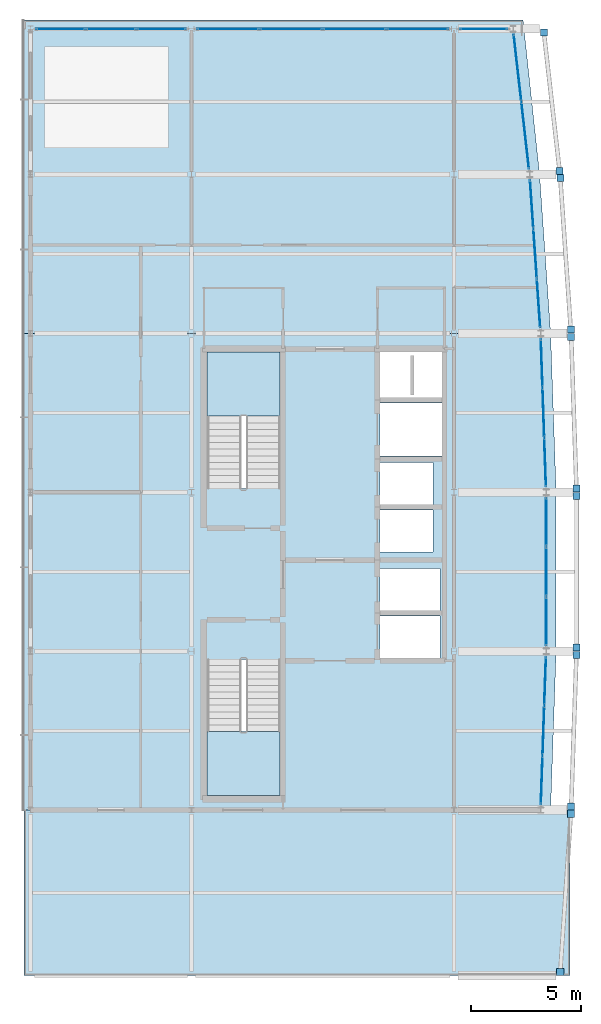
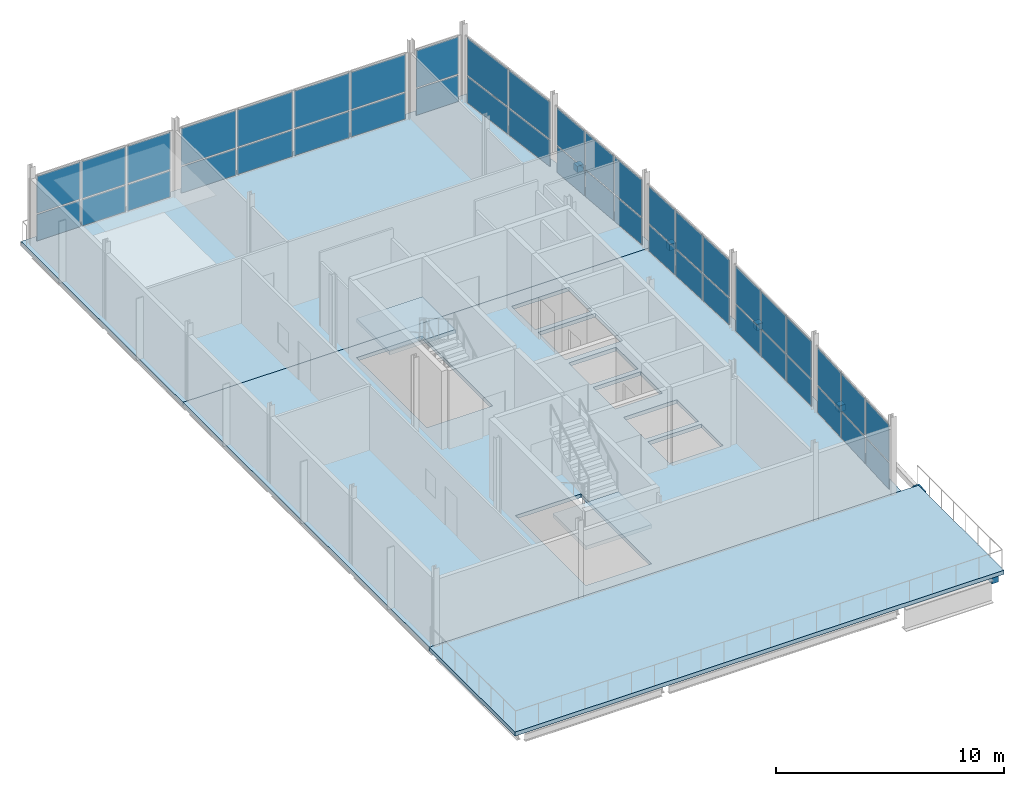
# One storey, part 12 of 17: 56 plates, 5 slabs, 10 elements without a shape of their own.
"""IFC4 building model written with IfcOpenShell, lengths in metres."""

from ifc_helpers import new_model, si_unit, direction, frame, origin, origin_2d, place, context, subcontext, project, spatial, polyline, rectangle, outline, extrude, material, layer, layer_set, type_object, element, aggregate, save


model = new_model("IFC4")

# Units and contexts
model_context = context("Model", 3, precision=1e-05, world=origin(), true_north=direction((0.0, 1.0)))
body_context = subcontext(model_context, "Body", "Model", "MODEL_VIEW")
ifc_project = project(units=[si_unit("LENGTHUNIT", "METRE"), si_unit("AREAUNIT", "SQUARE_METRE"), si_unit("VOLUMEUNIT", "CUBIC_METRE"), si_unit("PLANEANGLEUNIT", "RADIAN"), si_unit("MASSUNIT", "GRAM", prefix="KILO")], contexts=[model_context])

# Site, building, storey
site_placement = place(None, origin())
site = spatial("IfcSite", under=ifc_project, at=site_placement, CompositionType="ELEMENT")
building_placement = place(site_placement, origin())
building = spatial("IfcBuilding", under=site, at=building_placement, Name="Quillay Park Conservatory", CompositionType="ELEMENT")
storey_placement = place(building_placement, frame((0.0, 0.0, 60.300048828125)))
storey = spatial("IfcBuildingStorey", under=building, at=storey_placement, Name="L14", CompositionType="ELEMENT", Elevation=60.300048828125)

# Curtain wall, plates
ifc_material_1 = material(Name="Thermally Broken Anodised Aluminium 6063-T6", Category="aluminium")
ifc_layer_1 = layer(ifc_material_1, 0.179931640625)
ifc_layer_set_1 = layer_set([ifc_layer_1], Name="UNITISED CURTAIN WALL TOWER (Thermally Broken Anodised Aluminium 6063-T6)")
curtain_wall_type = type_object("IfcCurtainWallType", Name="UNITISED CURTAIN WALL TOWER", PredefinedType="USERDEFINED", material=ifc_layer_set_1)
curtain_wall_1_placement = place(storey_placement, origin())
curtain_wall_1 = element("IfcCurtainWall", 1, at=curtain_wall_1_placement, inside=storey, type_object=curtain_wall_type, Name="L14 Unitised Curtain Wall 131", ObjectType="UNITISED CURTAIN WALL", PredefinedType="USERDEFINED")
ifc_material_2 = material(Name="Low-E Double Glazing (Laminated Tempered)", Category="glass")
ifc_layer_2 = layer(ifc_material_2, 0.028076171875)
ifc_layer_set_2 = layer_set([ifc_layer_2], Name="CURTAIN WALL GLAZED PANEL 28 (Low-E Double Glazing (Laminated Tempered))")
plate_type_1 = type_object("IfcPlateType", Name="CURTAIN WALL GLAZED PANEL 28", PredefinedType="CURTAIN_PANEL", material=ifc_layer_set_2)
plate_1_placement = place(storey_placement, frame((23.878173828125, 83.849365234375, 0.06982421875), z_axis=(0.0, 0.0, 1.0), x_axis=(-0.034713338537, -0.999397310446, 0.0)))
plate_1 = element("IfcPlate", 2, at=plate_1_placement, type_object=plate_type_1, Name="CW-T1 panel 1.1", PredefinedType="CURTAIN_PANEL", context=body_context, shape_type="SweptSolid", body=[
    extrude(rectangle(XDim=2.1630859375, YDim=0.028076171875, at=origin_2d()), origin(), (0.0, 0.0, 1.0), 1.406494140625),
])
plate_2_placement = place(storey_placement, frame((23.878173828125, 83.849365234375, 1.546630859375), z_axis=(0.0, 0.0, 1.0), x_axis=(-0.034713338537, -0.999397310446, 0.0)))
plate_2 = element("IfcPlate", 3, at=plate_2_placement, type_object=plate_type_1, Name="CW-T1 panel 1.2", PredefinedType="CURTAIN_PANEL", context=body_context, shape_type="SweptSolid", body=[
    extrude(rectangle(XDim=2.1630859375, YDim=0.028076171875, at=origin_2d()), origin(), (0.0, 0.0, 1.0), 1.982421875),
])
plate_3_placement = place(storey_placement, frame((23.800048828125, 81.60009765625, 0.06982421875), z_axis=(0.0, 0.0, 1.0), x_axis=(-0.034713338537, -0.999397310446, 0.0)))
plate_3 = element("IfcPlate", 4, at=plate_3_placement, type_object=plate_type_1, Name="CW-T1 panel 2.1", PredefinedType="CURTAIN_PANEL", context=body_context, shape_type="SweptSolid", body=[
    extrude(rectangle(XDim=2.197998046875, YDim=0.028076171875, at=origin_2d()), origin(), (0.0, 0.0, 1.0), 1.406494140625),
])
plate_4_placement = place(storey_placement, frame((23.800048828125, 81.60009765625, 1.546630859375), z_axis=(0.0, 0.0, 1.0), x_axis=(-0.034713338537, -0.999397310446, 0.0)))
plate_4 = element("IfcPlate", 5, at=plate_4_placement, type_object=plate_type_1, Name="CW-T1 panel 2.2", PredefinedType="CURTAIN_PANEL", context=body_context, shape_type="SweptSolid", body=[
    extrude(rectangle(XDim=2.197998046875, YDim=0.028076171875, at=origin_2d()), origin(), (0.0, 0.0, 1.0), 1.982421875),
])
plate_5_placement = place(storey_placement, frame((23.721923828125, 79.350830078125, 0.06982421875), z_axis=(0.0, 0.0, 1.0), x_axis=(-0.034713338537, -0.999397310446, 0.0)))
plate_5 = element("IfcPlate", 6, at=plate_5_placement, type_object=plate_type_1, Name="CW-T1 panel 3.1", PredefinedType="CURTAIN_PANEL", context=body_context, shape_type="SweptSolid", body=[
    extrude(rectangle(XDim=2.1630859375, YDim=0.028076171875, at=origin_2d()), origin(), (0.0, 0.0, 1.0), 1.406494140625),
])
plate_6_placement = place(storey_placement, frame((23.721923828125, 79.350830078125, 1.546630859375), z_axis=(0.0, 0.0, 1.0), x_axis=(-0.034713338537, -0.999397310446, 0.0)))
plate_6 = element("IfcPlate", 7, at=plate_6_placement, type_object=plate_type_1, Name="CW-T1 panel 3.2", PredefinedType="CURTAIN_PANEL", context=body_context, shape_type="SweptSolid", body=[
    extrude(rectangle(XDim=2.1630859375, YDim=0.028076171875, at=origin_2d()), origin(), (0.0, 0.0, 1.0), 1.982421875),
])
aggregate(curtain_wall_1, [plate_1, plate_2, plate_3, plate_4, plate_5, plate_6])

curtain_wall_2_placement = place(storey_placement, origin())
curtain_wall_2 = element("IfcCurtainWall", 8, at=curtain_wall_2_placement, inside=storey, type_object=curtain_wall_type, Name="L14 Unitised Curtain Wall 132", ObjectType="UNITISED CURTAIN WALL", PredefinedType="USERDEFINED")
plate_7_placement = place(storey_placement, frame((23.925048828125, 91.049072265625, 0.06982421875), z_axis=(0.0, 0.0, 1.0), x_axis=(0.0, -1.0, 0.0)))
plate_7 = element("IfcPlate", 9, at=plate_7_placement, type_object=plate_type_1, Name="CW-T1 panel 1.1", PredefinedType="CURTAIN_PANEL", context=body_context, shape_type="SweptSolid", body=[
    extrude(rectangle(XDim=2.16162109375, YDim=0.028076171875, at=origin_2d()), origin(), (0.0, 0.0, 1.0), 1.406494140625),
])
plate_8_placement = place(storey_placement, frame((23.925048828125, 91.049072265625, 1.546630859375), z_axis=(0.0, 0.0, 1.0), x_axis=(0.0, -1.0, 0.0)))
plate_8 = element("IfcPlate", 10, at=plate_8_placement, type_object=plate_type_1, Name="CW-T1 panel 1.2", PredefinedType="CURTAIN_PANEL", context=body_context, shape_type="SweptSolid", body=[
    extrude(rectangle(XDim=2.16162109375, YDim=0.028076171875, at=origin_2d()), origin(), (0.0, 0.0, 1.0), 1.982421875),
])
plate_9_placement = place(storey_placement, frame((23.925048828125, 88.800048828125, 0.06982421875), z_axis=(0.0, 0.0, 1.0), x_axis=(0.0, -1.0, 0.0)))
plate_9 = element("IfcPlate", 11, at=plate_9_placement, type_object=plate_type_1, Name="CW-T1 panel 2.1", PredefinedType="CURTAIN_PANEL", context=body_context, shape_type="SweptSolid", body=[
    extrude(rectangle(XDim=2.19677734375, YDim=0.028076171875, at=origin_2d()), origin(), (0.0, 0.0, 1.0), 1.406494140625),
])
plate_10_placement = place(storey_placement, frame((23.925048828125, 88.800048828125, 1.546630859375), z_axis=(0.0, 0.0, 1.0), x_axis=(0.0, -1.0, 0.0)))
plate_10 = element("IfcPlate", 12, at=plate_10_placement, type_object=plate_type_1, Name="CW-T1 panel 2.2", PredefinedType="CURTAIN_PANEL", context=body_context, shape_type="SweptSolid", body=[
    extrude(rectangle(XDim=2.19677734375, YDim=0.028076171875, at=origin_2d()), origin(), (0.0, 0.0, 1.0), 1.982421875),
])
plate_11_placement = place(storey_placement, frame((23.925048828125, 86.55078125, 0.06982421875), z_axis=(0.0, 0.0, 1.0), x_axis=(0.0, -1.0, 0.0)))
plate_11 = element("IfcPlate", 13, at=plate_11_placement, type_object=plate_type_1, Name="CW-T1 panel 3.1", PredefinedType="CURTAIN_PANEL", context=body_context, shape_type="SweptSolid", body=[
    extrude(rectangle(XDim=2.16162109375, YDim=0.028076171875, at=origin_2d()), origin(), (0.0, 0.0, 1.0), 1.406494140625),
])
plate_12_placement = place(storey_placement, frame((23.925048828125, 86.55078125, 1.546630859375), z_axis=(0.0, 0.0, 1.0), x_axis=(0.0, -1.0, 0.0)))
plate_12 = element("IfcPlate", 14, at=plate_12_placement, type_object=plate_type_1, Name="CW-T1 panel 3.2", PredefinedType="CURTAIN_PANEL", context=body_context, shape_type="SweptSolid", body=[
    extrude(rectangle(XDim=2.16162109375, YDim=0.028076171875, at=origin_2d()), origin(), (0.0, 0.0, 1.0), 1.982421875),
])
aggregate(curtain_wall_2, [plate_7, plate_8, plate_9, plate_10, plate_11, plate_12])

curtain_wall_3_placement = place(storey_placement, origin())
curtain_wall_3 = element("IfcCurtainWall", 15, at=curtain_wall_3_placement, inside=storey, type_object=curtain_wall_type, Name="L14 Unitised Curtain Wall 133", ObjectType="UNITISED CURTAIN WALL", PredefinedType="USERDEFINED")
plate_13_placement = place(storey_placement, frame((23.721923828125, 98.249267578125, 0.06982421875), z_axis=(0.0, 0.0, 1.0), x_axis=(0.034713338537, -0.999397310446, 0.0)))
plate_13 = element("IfcPlate", 16, at=plate_13_placement, type_object=plate_type_1, Name="CW-T1 panel 1.1", PredefinedType="CURTAIN_PANEL", context=body_context, shape_type="SweptSolid", body=[
    extrude(rectangle(XDim=2.1630859375, YDim=0.028076171875, at=origin_2d()), origin(), (0.0, 0.0, 1.0), 1.406494140625),
])
plate_14_placement = place(storey_placement, frame((23.721923828125, 98.249267578125, 1.546630859375), z_axis=(0.0, 0.0, 1.0), x_axis=(0.034713338537, -0.999397310446, 0.0)))
plate_14 = element("IfcPlate", 17, at=plate_14_placement, type_object=plate_type_1, Name="CW-T1 panel 1.2", PredefinedType="CURTAIN_PANEL", context=body_context, shape_type="SweptSolid", body=[
    extrude(rectangle(XDim=2.1630859375, YDim=0.028076171875, at=origin_2d()), origin(), (0.0, 0.0, 1.0), 1.982421875),
])
plate_15_placement = place(storey_placement, frame((23.800048828125, 96.0, 0.06982421875), z_axis=(0.0, 0.0, 1.0), x_axis=(0.034713338537, -0.999397310446, 0.0)))
plate_15 = element("IfcPlate", 18, at=plate_15_placement, type_object=plate_type_1, Name="CW-T1 panel 2.1", PredefinedType="CURTAIN_PANEL", context=body_context, shape_type="SweptSolid", body=[
    extrude(rectangle(XDim=2.197998046875, YDim=0.028076171875, at=origin_2d()), origin(), (0.0, 0.0, 1.0), 1.406494140625),
])
plate_16_placement = place(storey_placement, frame((23.800048828125, 96.0, 1.546630859375), z_axis=(0.0, 0.0, 1.0), x_axis=(0.034713338537, -0.999397310446, 0.0)))
plate_16 = element("IfcPlate", 19, at=plate_16_placement, type_object=plate_type_1, Name="CW-T1 panel 2.2", PredefinedType="CURTAIN_PANEL", context=body_context, shape_type="SweptSolid", body=[
    extrude(rectangle(XDim=2.197998046875, YDim=0.028076171875, at=origin_2d()), origin(), (0.0, 0.0, 1.0), 1.982421875),
])
plate_17_placement = place(storey_placement, frame((23.878173828125, 93.750732421875, 0.06982421875), z_axis=(0.0, 0.0, 1.0), x_axis=(0.034713338537, -0.999397310446, 0.0)))
plate_17 = element("IfcPlate", 20, at=plate_17_placement, type_object=plate_type_1, Name="CW-T1 panel 3.1", PredefinedType="CURTAIN_PANEL", context=body_context, shape_type="SweptSolid", body=[
    extrude(rectangle(XDim=2.1630859375, YDim=0.028076171875, at=origin_2d()), origin(), (0.0, 0.0, 1.0), 1.406494140625),
])
plate_18_placement = place(storey_placement, frame((23.878173828125, 93.750732421875, 1.546630859375), z_axis=(0.0, 0.0, 1.0), x_axis=(0.034713338537, -0.999397310446, 0.0)))
plate_18 = element("IfcPlate", 21, at=plate_18_placement, type_object=plate_type_1, Name="CW-T1 panel 3.2", PredefinedType="CURTAIN_PANEL", context=body_context, shape_type="SweptSolid", body=[
    extrude(rectangle(XDim=2.1630859375, YDim=0.028076171875, at=origin_2d()), origin(), (0.0, 0.0, 1.0), 1.982421875),
])
aggregate(curtain_wall_3, [plate_13, plate_14, plate_15, plate_16, plate_17, plate_18])

curtain_wall_4_placement = place(storey_placement, origin())
curtain_wall_4 = element("IfcCurtainWall", 22, at=curtain_wall_4_placement, inside=storey, type_object=curtain_wall_type, Name="L14 Unitised Curtain Wall 134", ObjectType="UNITISED CURTAIN WALL", PredefinedType="USERDEFINED")
plate_19_placement = place(storey_placement, frame((23.268798828125, 105.449462890625, 0.06982421875), z_axis=(0.0, 0.0, 1.0), x_axis=(0.069264217159, -0.99759835015, 0.0)))
plate_19 = element("IfcPlate", 23, at=plate_19_placement, type_object=plate_type_1, Name="CW-T1 panel 1.1", PredefinedType="CURTAIN_PANEL", context=body_context, shape_type="SweptSolid", body=[
    extrude(rectangle(XDim=2.16748046875, YDim=0.028076171875, at=origin_2d()), origin(), (0.0, 0.0, 1.0), 1.406494140625),
])
plate_20_placement = place(storey_placement, frame((23.268798828125, 105.449462890625, 1.546630859375), z_axis=(0.0, 0.0, 1.0), x_axis=(0.069264217159, -0.99759835015, 0.0)))
plate_20 = element("IfcPlate", 24, at=plate_20_placement, type_object=plate_type_1, Name="CW-T1 panel 1.2", PredefinedType="CURTAIN_PANEL", context=body_context, shape_type="SweptSolid", body=[
    extrude(rectangle(XDim=2.16748046875, YDim=0.028076171875, at=origin_2d()), origin(), (0.0, 0.0, 1.0), 1.982421875),
])
plate_21_placement = place(storey_placement, frame((23.425048828125, 103.199951171875, 0.06982421875), z_axis=(0.0, 0.0, 1.0), x_axis=(0.069264217159, -0.99759835015, 0.0)))
plate_21 = element("IfcPlate", 25, at=plate_21_placement, type_object=plate_type_1, Name="CW-T1 panel 2.1", PredefinedType="CURTAIN_PANEL", context=body_context, shape_type="SweptSolid", body=[
    extrude(rectangle(XDim=2.202392578125, YDim=0.028076171875, at=origin_2d()), origin(), (0.0, 0.0, 1.0), 1.406494140625),
])
plate_22_placement = place(storey_placement, frame((23.425048828125, 103.199951171875, 1.546630859375), z_axis=(0.0, 0.0, 1.0), x_axis=(0.069264217159, -0.99759835015, 0.0)))
plate_22 = element("IfcPlate", 26, at=plate_22_placement, type_object=plate_type_1, Name="CW-T1 panel 2.2", PredefinedType="CURTAIN_PANEL", context=body_context, shape_type="SweptSolid", body=[
    extrude(rectangle(XDim=2.202392578125, YDim=0.028076171875, at=origin_2d()), origin(), (0.0, 0.0, 1.0), 1.982421875),
])
plate_23_placement = place(storey_placement, frame((23.581298828125, 100.950439453125, 0.06982421875), z_axis=(0.0, 0.0, 1.0), x_axis=(0.069264217159, -0.99759835015, 0.0)))
plate_23 = element("IfcPlate", 27, at=plate_23_placement, type_object=plate_type_1, Name="CW-T1 panel 3.1", PredefinedType="CURTAIN_PANEL", context=body_context, shape_type="SweptSolid", body=[
    extrude(rectangle(XDim=2.16748046875, YDim=0.028076171875, at=origin_2d()), origin(), (0.0, 0.0, 1.0), 1.406494140625),
])
plate_24_placement = place(storey_placement, frame((23.581298828125, 100.950439453125, 1.546630859375), z_axis=(0.0, 0.0, 1.0), x_axis=(0.069264217159, -0.99759835015, 0.0)))
plate_24 = element("IfcPlate", 28, at=plate_24_placement, type_object=plate_type_1, Name="CW-T1 panel 3.2", PredefinedType="CURTAIN_PANEL", context=body_context, shape_type="SweptSolid", body=[
    extrude(rectangle(XDim=2.16748046875, YDim=0.028076171875, at=origin_2d()), origin(), (0.0, 0.0, 1.0), 1.982421875),
])
aggregate(curtain_wall_4, [plate_19, plate_20, plate_21, plate_22, plate_23, plate_24])

curtain_wall_5_placement = place(storey_placement, origin())
curtain_wall_5 = element("IfcCurtainWall", 29, at=curtain_wall_5_placement, inside=storey, type_object=curtain_wall_type, Name="L14 Unitised Curtain Wall 135", ObjectType="UNITISED CURTAIN WALL", PredefinedType="USERDEFINED")
plate_25_placement = place(storey_placement, frame((22.625732421875, 111.63330078125, 0.06982421875), z_axis=(0.0, 0.0, 1.0), x_axis=(0.112903218278, -0.993605989969, 0.0)))
plate_25 = element("IfcPlate", 30, at=plate_25_placement, type_object=plate_type_1, Name="CW-T1 panel 1.1", PredefinedType="CURTAIN_PANEL", context=body_context, shape_type="SweptSolid", body=[
    extrude(rectangle(XDim=3.016357421875, YDim=0.028076171875, at=origin_2d()), origin(), (0.0, 0.0, 1.0), 1.406494140625),
])
plate_26_placement = place(storey_placement, frame((22.625732421875, 111.63330078125, 1.546630859375), z_axis=(0.0, 0.0, 1.0), x_axis=(0.112903218278, -0.993605989969, 0.0)))
plate_26 = element("IfcPlate", 31, at=plate_26_placement, type_object=plate_type_1, Name="CW-T1 panel 1.2", PredefinedType="CURTAIN_PANEL", context=body_context, shape_type="SweptSolid", body=[
    extrude(rectangle(XDim=3.016357421875, YDim=0.028076171875, at=origin_2d()), origin(), (0.0, 0.0, 1.0), 1.982421875),
])
plate_27_placement = place(storey_placement, frame((22.97412109375, 108.566650390625, 0.06982421875), z_axis=(0.0, 0.0, 1.0), x_axis=(0.112903218278, -0.993605989969, 0.0)))
plate_27 = element("IfcPlate", 32, at=plate_27_placement, type_object=plate_type_1, Name="CW-T1 panel 2.1", PredefinedType="CURTAIN_PANEL", context=body_context, shape_type="SweptSolid", body=[
    extrude(rectangle(XDim=3.016357421875, YDim=0.028076171875, at=origin_2d()), origin(), (0.0, 0.0, 1.0), 1.406494140625),
])
plate_28_placement = place(storey_placement, frame((22.97412109375, 108.566650390625, 1.546630859375), z_axis=(0.0, 0.0, 1.0), x_axis=(0.112903218278, -0.993605989969, 0.0)))
plate_28 = element("IfcPlate", 33, at=plate_28_placement, type_object=plate_type_1, Name="CW-T1 panel 2.2", PredefinedType="CURTAIN_PANEL", context=body_context, shape_type="SweptSolid", body=[
    extrude(rectangle(XDim=3.016357421875, YDim=0.028076171875, at=origin_2d()), origin(), (0.0, 0.0, 1.0), 1.982421875),
])
aggregate(curtain_wall_5, [plate_25, plate_26, plate_27, plate_28])

curtain_wall_6_placement = place(storey_placement, origin())
curtain_wall_6 = element("IfcCurtainWall", 34, at=curtain_wall_6_placement, inside=storey, type_object=curtain_wall_type, Name="L14 Unitised Curtain Wall 136", ObjectType="UNITISED CURTAIN WALL", PredefinedType="USERDEFINED")
plate_29_placement = place(storey_placement, frame((1.91748046875, 113.39990234375, 0.06982421875), z_axis=(0.0, 0.0, 1.0), x_axis=(1.0, 0.0, 0.0)))
plate_29 = element("IfcPlate", 35, at=plate_29_placement, type_object=plate_type_1, Name="CW-T1 panel 1.1", PredefinedType="CURTAIN_PANEL", context=body_context, shape_type="SweptSolid", body=[
    extrude(rectangle(XDim=2.195068359375, YDim=0.028076171875, at=origin_2d()), origin(), (0.0, 0.0, 1.0), 1.406494140625),
])
plate_30_placement = place(storey_placement, frame((1.91748046875, 113.39990234375, 1.546630859375), z_axis=(0.0, 0.0, 1.0), x_axis=(1.0, 0.0, 0.0)))
plate_30 = element("IfcPlate", 36, at=plate_30_placement, type_object=plate_type_1, Name="CW-T1 panel 1.2", PredefinedType="CURTAIN_PANEL", context=body_context, shape_type="SweptSolid", body=[
    extrude(rectangle(XDim=2.195068359375, YDim=0.028076171875, at=origin_2d()), origin(), (0.0, 0.0, 1.0), 1.982421875),
])
plate_31_placement = place(storey_placement, frame((4.199951171875, 113.39990234375, 0.06982421875), z_axis=(0.0, 0.0, 1.0), x_axis=(1.0, 0.0, 0.0)))
plate_31 = element("IfcPlate", 37, at=plate_31_placement, type_object=plate_type_1, Name="CW-T1 panel 2.1", PredefinedType="CURTAIN_PANEL", context=body_context, shape_type="SweptSolid", body=[
    extrude(rectangle(XDim=2.22998046875, YDim=0.028076171875, at=origin_2d()), origin(), (0.0, 0.0, 1.0), 1.406494140625),
])
plate_32_placement = place(storey_placement, frame((4.199951171875, 113.39990234375, 1.546630859375), z_axis=(0.0, 0.0, 1.0), x_axis=(1.0, 0.0, 0.0)))
plate_32 = element("IfcPlate", 38, at=plate_32_placement, type_object=plate_type_1, Name="CW-T1 panel 2.2", PredefinedType="CURTAIN_PANEL", context=body_context, shape_type="SweptSolid", body=[
    extrude(rectangle(XDim=2.22998046875, YDim=0.028076171875, at=origin_2d()), origin(), (0.0, 0.0, 1.0), 1.982421875),
])
plate_33_placement = place(storey_placement, frame((6.482421875, 113.39990234375, 0.06982421875), z_axis=(0.0, 0.0, 1.0), x_axis=(1.0, 0.0, 0.0)))
plate_33 = element("IfcPlate", 39, at=plate_33_placement, type_object=plate_type_1, Name="CW-T1 panel 3.1", PredefinedType="CURTAIN_PANEL", context=body_context, shape_type="SweptSolid", body=[
    extrude(rectangle(XDim=2.195068359375, YDim=0.028076171875, at=origin_2d()), origin(), (0.0, 0.0, 1.0), 1.406494140625),
])
plate_34_placement = place(storey_placement, frame((6.482421875, 113.39990234375, 1.546630859375), z_axis=(0.0, 0.0, 1.0), x_axis=(1.0, 0.0, 0.0)))
plate_34 = element("IfcPlate", 40, at=plate_34_placement, type_object=plate_type_1, Name="CW-T1 panel 3.2", PredefinedType="CURTAIN_PANEL", context=body_context, shape_type="SweptSolid", body=[
    extrude(rectangle(XDim=2.195068359375, YDim=0.028076171875, at=origin_2d()), origin(), (0.0, 0.0, 1.0), 1.982421875),
])
aggregate(curtain_wall_6, [plate_29, plate_30, plate_31, plate_32, plate_33, plate_34])

curtain_wall_7_placement = place(storey_placement, origin())
curtain_wall_7 = element("IfcCurtainWall", 41, at=curtain_wall_7_placement, inside=storey, type_object=curtain_wall_type, Name="L14 Unitised Curtain Wall 137", ObjectType="UNITISED CURTAIN WALL", PredefinedType="USERDEFINED")
plate_35_placement = place(storey_placement, frame((9.5048828125, 113.39990234375, 0.06982421875), z_axis=(0.0, 0.0, 1.0), x_axis=(1.0, 0.0, 0.0)))
plate_35 = element("IfcPlate", 42, at=plate_35_placement, type_object=plate_type_1, Name="CW-T1 panel 1.1", PredefinedType="CURTAIN_PANEL", context=body_context, shape_type="SweptSolid", body=[
    extrude(rectangle(XDim=2.77001953125, YDim=0.028076171875, at=origin_2d()), origin(), (0.0, 0.0, 1.0), 1.406494140625),
])
plate_36_placement = place(storey_placement, frame((9.5048828125, 113.39990234375, 1.546630859375), z_axis=(0.0, 0.0, 1.0), x_axis=(1.0, 0.0, 0.0)))
plate_36 = element("IfcPlate", 43, at=plate_36_placement, type_object=plate_type_1, Name="CW-T1 panel 1.2", PredefinedType="CURTAIN_PANEL", context=body_context, shape_type="SweptSolid", body=[
    extrude(rectangle(XDim=2.77001953125, YDim=0.028076171875, at=origin_2d()), origin(), (0.0, 0.0, 1.0), 1.982421875),
])
plate_37_placement = place(storey_placement, frame((12.362548828125, 113.39990234375, 0.06982421875), z_axis=(0.0, 0.0, 1.0), x_axis=(1.0, 0.0, 0.0)))
plate_37 = element("IfcPlate", 44, at=plate_37_placement, type_object=plate_type_1, Name="CW-T1 panel 2.1", PredefinedType="CURTAIN_PANEL", context=body_context, shape_type="SweptSolid", body=[
    extrude(rectangle(XDim=2.804931640625, YDim=0.028076171875, at=origin_2d()), origin(), (0.0, 0.0, 1.0), 1.406494140625),
])
plate_38_placement = place(storey_placement, frame((12.362548828125, 113.39990234375, 1.546630859375), z_axis=(0.0, 0.0, 1.0), x_axis=(1.0, 0.0, 0.0)))
plate_38 = element("IfcPlate", 45, at=plate_38_placement, type_object=plate_type_1, Name="CW-T1 panel 2.2", PredefinedType="CURTAIN_PANEL", context=body_context, shape_type="SweptSolid", body=[
    extrude(rectangle(XDim=2.804931640625, YDim=0.028076171875, at=origin_2d()), origin(), (0.0, 0.0, 1.0), 1.982421875),
])
plate_39_placement = place(storey_placement, frame((15.237548828125, 113.39990234375, 0.06982421875), z_axis=(0.0, 0.0, 1.0), x_axis=(1.0, 0.0, 0.0)))
plate_39 = element("IfcPlate", 46, at=plate_39_placement, type_object=plate_type_1, Name="CW-T1 panel 3.1", PredefinedType="CURTAIN_PANEL", context=body_context, shape_type="SweptSolid", body=[
    extrude(rectangle(XDim=2.804931640625, YDim=0.028076171875, at=origin_2d()), origin(), (0.0, 0.0, 1.0), 1.406494140625),
])
plate_40_placement = place(storey_placement, frame((15.237548828125, 113.39990234375, 1.546630859375), z_axis=(0.0, 0.0, 1.0), x_axis=(1.0, 0.0, 0.0)))
plate_40 = element("IfcPlate", 47, at=plate_40_placement, type_object=plate_type_1, Name="CW-T1 panel 3.2", PredefinedType="CURTAIN_PANEL", context=body_context, shape_type="SweptSolid", body=[
    extrude(rectangle(XDim=2.804931640625, YDim=0.028076171875, at=origin_2d()), origin(), (0.0, 0.0, 1.0), 1.982421875),
])
plate_41_placement = place(storey_placement, frame((18.094970703125, 113.39990234375, 0.06982421875), z_axis=(0.0, 0.0, 1.0), x_axis=(1.0, 0.0, 0.0)))
plate_41 = element("IfcPlate", 48, at=plate_41_placement, type_object=plate_type_1, Name="CW-T1 panel 4.1", PredefinedType="CURTAIN_PANEL", context=body_context, shape_type="SweptSolid", body=[
    extrude(rectangle(XDim=2.77001953125, YDim=0.028076171875, at=origin_2d()), origin(), (0.0, 0.0, 1.0), 1.406494140625),
])
plate_42_placement = place(storey_placement, frame((18.094970703125, 113.39990234375, 1.546630859375), z_axis=(0.0, 0.0, 1.0), x_axis=(1.0, 0.0, 0.0)))
plate_42 = element("IfcPlate", 49, at=plate_42_placement, type_object=plate_type_1, Name="CW-T1 panel 4.2", PredefinedType="CURTAIN_PANEL", context=body_context, shape_type="SweptSolid", body=[
    extrude(rectangle(XDim=2.77001953125, YDim=0.028076171875, at=origin_2d()), origin(), (0.0, 0.0, 1.0), 1.982421875),
])
aggregate(curtain_wall_7, [plate_35, plate_36, plate_37, plate_38, plate_39, plate_40, plate_41, plate_42])

curtain_wall_8_placement = place(storey_placement, origin())
curtain_wall_8 = element("IfcCurtainWall", 50, at=curtain_wall_8_placement, inside=storey, type_object=curtain_wall_type, Name="L14 Unitised Curtain Wall 138", ObjectType="UNITISED CURTAIN WALL", PredefinedType="USERDEFINED")
plate_43_placement = place(storey_placement, frame((21.08740234375, 113.39990234375, 0.06982421875), z_axis=(0.0, 0.0, 1.0), x_axis=(1.0, 0.0, 0.0)))
plate_43 = element("IfcPlate", 51, at=plate_43_placement, type_object=plate_type_1, Name="CW-T1 panel 1.1", PredefinedType="CURTAIN_PANEL", context=body_context, shape_type="SweptSolid", body=[
    extrude(rectangle(XDim=2.135009765625, YDim=0.028076171875, at=origin_2d()), origin(), (0.0, 0.0, 1.0), 1.406494140625),
])
plate_44_placement = place(storey_placement, frame((21.08740234375, 113.39990234375, 1.546630859375), z_axis=(0.0, 0.0, 1.0), x_axis=(1.0, 0.0, 0.0)))
plate_44 = element("IfcPlate", 52, at=plate_44_placement, type_object=plate_type_1, Name="CW-T1 panel 1.2", PredefinedType="CURTAIN_PANEL", context=body_context, shape_type="SweptSolid", body=[
    extrude(rectangle(XDim=2.135009765625, YDim=0.028076171875, at=origin_2d()), origin(), (0.0, 0.0, 1.0), 1.982421875),
])
aggregate(curtain_wall_8, [plate_43, plate_44])

# Plates
ifc_material_3 = material(Name="Steel S355J2H", Category="steel")
ifc_layer_3 = layer(ifc_material_3, 0.02392578125)
ifc_layer_set_3 = layer_set([ifc_layer_3], Name="HOLLOW END CAP PLATE 320 X220 (Steel S355J2H)")
plate_type_2 = type_object("IfcPlateType", Name="HOLLOW END CAP PLATE 320 X220", PredefinedType="USERDEFINED", material=ifc_layer_set_3)
for number, where, z_axis, x_axis, name in (
    (53, (24.56103515625, 70.66650390625, -0.537109375), (0.0, 0.0, 1.0), (1.0, 0.0, 0.0), "Hollow steel end cap ECP-0125"),
    (54, (25.038818359375, 77.83349609375, -0.537109375), (0.0, 0.0, 1.0), (1.0, 0.0, 0.0), "Hollow steel end cap ECP-0126"),
    (55, (25.055908203125, 78.1669921875, -0.537109375), (0.0, 0.0, 1.0), (1.0, 0.0, 0.0), "Hollow steel end cap ECP-0127"),
    (56, (25.294189453125, 85.033203125, -0.537109375), (0.0, 0.0, 1.0), (1.0, 0.0, 0.0), "Hollow steel end cap ECP-0128"),
    (57, (25.300048828125, 85.366943359375, -0.537109375), (0.0, 0.0, 1.0), (1.0, 0.0, 0.0), "Hollow steel end cap ECP-0129"),
    (58, (25.300048828125, 92.23291015625, -0.537109375), (0.0, 0.0, 1.0), (1.0, 0.0, 0.0), "Hollow steel end cap ECP-0130"),
    (59, (25.294189453125, 92.56689453125, -0.537109375), (0.0, 0.0, 1.0), (1.0, 0.0, 0.0), "Hollow steel end cap ECP-0131"),
    (60, (25.055908203125, 99.43310546875, -0.537109375), (0.0, 0.0, 1.0), (1.0, 0.0, 0.0), "Hollow steel end cap ECP-0132"),
    (61, (25.038330078125, 99.7666015625, -0.537109375), (0.0, 0.0, 1.0), (1.0, 0.0, 0.0), "Hollow steel end cap ECP-0133"),
    (62, (24.5615234375, 106.63330078125, -0.537109375), (0.0, 0.0, 1.0), (1.0, 0.0, 0.0), "Hollow steel end cap ECP-0134"),
    (63, (24.531005859375, 106.9658203125, -0.537109375), (0.0, 0.0, 1.0), (1.0, 0.0, 0.0), "Hollow steel end cap ECP-0135"),
    (64, (23.81884765625, 113.234130859375, -0.537109375), (0.0, 0.0, 1.0), (1.0, 0.0, 0.0), "Hollow steel end cap ECP-0136"),
):
    element("IfcPlate", number, at=place(storey_placement, frame(where, z_axis=z_axis, x_axis=x_axis)), inside=storey, type_object=plate_type_2, Name=name, ObjectType="FLANGE PLATE", PredefinedType="USERDEFINED", context=body_context, shape_type="SweptSolid", body=[
        extrude(rectangle(XDim=0.320068359375, YDim=0.320068359375, at=origin_2d()), origin(), (0.0, 0.0, 1.0), 0.343994140625),
    ])

# Slab
ifc_material_4 = material(Name="Concrete C35/45 (NCh170 Concrete C35/45)", Category="concrete")
ifc_layer_4 = layer(ifc_material_4, 0.215087890625)
ifc_layer_set_4 = layer_set([ifc_layer_4], Name="OUTDOOR TERRACE SLAB 215 (Concrete C35/45 (NCh170 Concrete C35/45))")
slab_type_1 = type_object("IfcSlabType", Name="OUTDOOR TERRACE SLAB 215", PredefinedType="FLOOR", material=ifc_layer_set_4)
slab_1_placement = place(storey_placement, frame((0.0, 0.0, -0.215087890625)))
element("IfcSlab", 65, at=slab_1_placement, inside=storey, type_object=slab_type_1, Name="L14 Botanical Sky Terrace Slab", PredefinedType="FLOOR", context=body_context, shape_type="SweptSolid", body=[
    extrude(outline(polyline([(0.25, 70.5), (25.0, 70.5), (25.0, 78.0), (0.25, 78.0), (0.25, 70.5)])), origin(), (0.0, 0.0, 1.0), 0.215087890625),
])

# Stair, slab
ifc_material_5 = material(Name="Concrete C35/45 (NCh170 Concrete C35/45)", Category="concrete")
stair_type = type_object("IfcStairType", Name="ENCLOSED DOG LEG STAIR 4200", PredefinedType="HALF_TURN_STAIR", material=ifc_material_5)
stair_1_placement = place(storey_placement, origin())
stair_1 = element("IfcStair", 66, at=stair_1_placement, inside=storey, type_object=stair_type, Name="L14 Tower Protected Exit Stair 1", PredefinedType="HALF_TURN_STAIR")
ifc_material_6 = material(Name="Concrete C35/45 (NCh170 Concrete C35/45)", Category="concrete")
ifc_layer_5 = layer(ifc_material_6, 0.199951171875)
ifc_layer_set_5 = layer_set([ifc_layer_5], Name="STAIR LANDING SLAB 200 (Concrete C35/45 (NCh170 Concrete C35/45))")
slab_type_2 = type_object("IfcSlabType", Name="STAIR LANDING SLAB 200", PredefinedType="LANDING", material=ifc_layer_set_5)
slab_2_placement = place(storey_placement, frame((0.0, 0.0, 1.89990234375)))
slab_2 = element("IfcSlab", 67, at=slab_2_placement, type_object=slab_type_2, Name="ST-T1 landing 1", PredefinedType="LANDING", context=body_context, shape_type="SweptSolid", body=[
    extrude(outline(polyline([(11.8701171875, 95.85009765625), (11.8701171875, 98.75), (8.550048828125, 98.75), (8.550048828125, 95.85009765625), (11.8701171875, 95.85009765625)])), origin(), (0.0, 0.0, 1.0), 0.199951171875),
])
aggregate(stair_1, [slab_2])

stair_2_placement = place(storey_placement, origin())
stair_2 = element("IfcStair", 68, at=stair_2_placement, inside=storey, type_object=stair_type, Name="L14 Tower Protected Exit Stair 2", PredefinedType="HALF_TURN_STAIR")
slab_3_placement = place(storey_placement, frame((0.0, 0.0, 1.89990234375)))
slab_3 = element("IfcSlab", 69, at=slab_3_placement, type_object=slab_type_2, Name="ST-T2 landing 1", PredefinedType="LANDING", context=body_context, shape_type="SweptSolid", body=[
    extrude(outline(polyline([(8.550048828125, 81.550048828125), (8.550048828125, 78.64990234375), (11.8701171875, 78.64990234375), (11.8701171875, 81.550048828125), (8.550048828125, 81.550048828125)])), origin(), (0.0, 0.0, 1.0), 0.199951171875),
])
aggregate(stair_2, [slab_3])

# Slabs
ifc_material_7 = material(Name="Concrete C35/45 (NCh170 Concrete C35/45)", Category="concrete")
ifc_layer_6 = layer(ifc_material_7, 0.199951171875)
ifc_layer_set_6 = layer_set([ifc_layer_6], Name="SUSPENDED FLOOR SLAB 180 (Concrete C35/45 (NCh170 Concrete C35/45))")
slab_type_3 = type_object("IfcSlabType", Name="SUSPENDED FLOOR SLAB 180", PredefinedType="FLOOR", material=ifc_layer_set_6)
slab_4_placement = place(storey_placement, frame((0.0, 0.0, -0.199951171875)))
element("IfcSlab", 70, at=slab_4_placement, inside=storey, type_object=slab_type_3, Name="L14 Research Tower South Chord Plate", PredefinedType="FLOOR", context=body_context, shape_type="SweptSolid", body=[
    extrude(outline(polyline([(0.25, 78.0), (24.125, 78.0), (24.375, 85.199951171875), (24.375, 92.39990234375), (24.125, 99.60009765625), (0.25, 99.60009765625), (0.25, 78.0)]), holes=[polyline([(8.550048828125, 92.580078125), (11.8701171875, 92.580078125), (11.8701171875, 98.75), (8.550048828125, 98.75), (8.550048828125, 92.580078125)]), polyline([(8.550048828125, 78.64990234375), (11.8701171875, 78.64990234375), (11.8701171875, 84.820068359375), (8.550048828125, 84.820068359375), (8.550048828125, 78.64990234375)]), polyline([(16.39990234375, 84.89990234375), (19.10009765625, 84.89990234375), (19.10009765625, 86.800048828125), (16.39990234375, 86.800048828125), (16.39990234375, 84.89990234375)]), polyline([(16.39990234375, 87.050048828125), (19.10009765625, 87.050048828125), (19.10009765625, 88.949951171875), (16.39990234375, 88.949951171875), (16.39990234375, 87.050048828125)]), polyline([(16.39990234375, 89.699951171875), (18.800048828125, 89.699951171875), (18.800048828125, 91.60009765625), (16.39990234375, 91.60009765625), (16.39990234375, 89.699951171875)]), polyline([(16.39990234375, 91.85009765625), (18.800048828125, 91.85009765625), (18.800048828125, 93.75), (16.39990234375, 93.75), (16.39990234375, 91.85009765625)]), polyline([(16.39990234375, 94.050048828125), (19.300048828125, 94.050048828125), (19.300048828125, 96.449951171875), (16.39990234375, 96.449951171875), (16.39990234375, 94.050048828125)]), polyline([(16.39990234375, 96.699951171875), (19.300048828125, 96.699951171875), (19.300048828125, 98.75), (16.39990234375, 98.75), (16.39990234375, 96.699951171875)])]), origin(), (0.0, 0.0, 1.0), 0.199951171875),
])
slab_5_placement = place(storey_placement, frame((0.0, 0.0, -0.199951171875)))
element("IfcSlab", 71, at=slab_5_placement, inside=storey, type_object=slab_type_3, Name="L14 Research Tower North Chord Plate", PredefinedType="FLOOR", context=body_context, shape_type="SweptSolid", body=[
    extrude(outline(polyline([(0.25, 99.60009765625), (24.125, 99.60009765625), (23.625, 106.800048828125), (22.875, 113.800048828125), (0.25, 113.800048828125), (0.25, 99.60009765625)])), origin(), (0.0, 0.0, 1.0), 0.199951171875),
])

save(model, "model.ifc")
